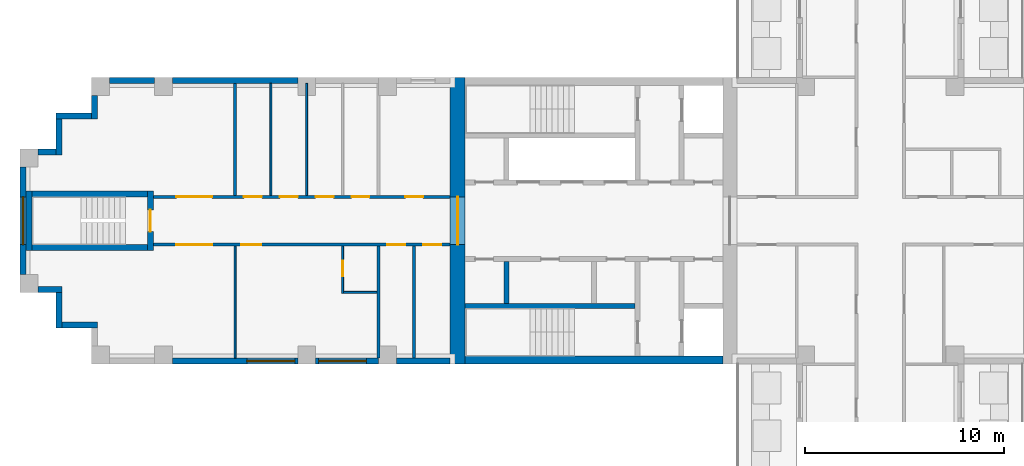
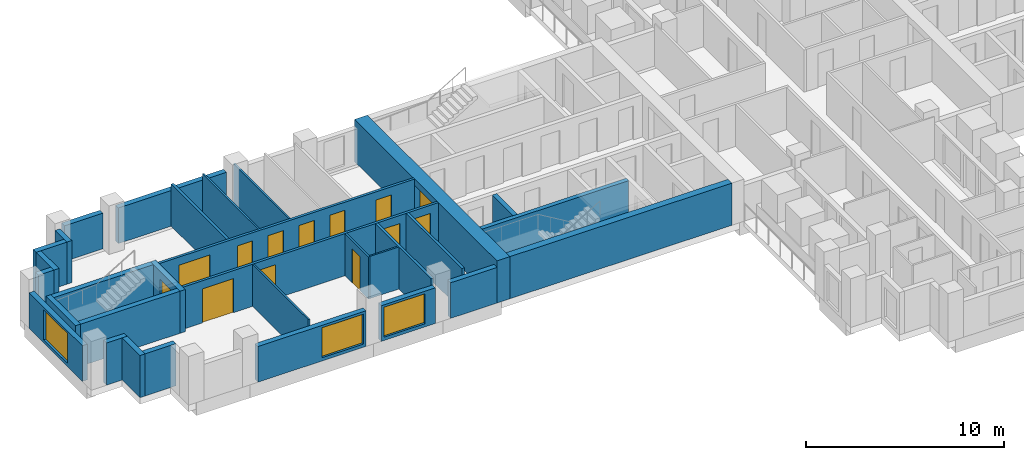
# One storey, part 2 of 10: 31 walls, 13 doors, 3 windows, 16 openings.
"""IFC4 building model written with IfcOpenShell, lengths in metres."""

from ifc_helpers import new_model, si_unit, direction, frame, frame_2d, origin, place, context, subcontext, project, spatial, rectangle, extrude, material, layer, layer_set, type_object, element, fill, save


model = new_model("IFC4")

# Units and contexts
model_context = context("Model", 3, precision=1e-05, world=origin(), true_north=direction((0.0, 1.0)))
body_context = subcontext(model_context, "Body", "Model", "MODEL_VIEW")
ifc_project = project(units=[si_unit("LENGTHUNIT", "METRE"), si_unit("AREAUNIT", "SQUARE_METRE"), si_unit("VOLUMEUNIT", "CUBIC_METRE"), si_unit("PLANEANGLEUNIT", "RADIAN"), si_unit("MASSUNIT", "GRAM", prefix="KILO")], contexts=[model_context])

# Site, building, storey
site_placement = place(None, origin())
site = spatial("IfcSite", under=ifc_project, at=site_placement, CompositionType="ELEMENT")
building_placement = place(site_placement, origin())
building = spatial("IfcBuilding", under=site, at=building_placement, Name="Fustian Cross Tower", CompositionType="ELEMENT")
storey_placement = place(building_placement, frame((0.0, 0.0, 185.699951171875)))
storey = spatial("IfcBuildingStorey", under=building, at=storey_placement, Name="L58", CompositionType="ELEMENT", Elevation=185.699951171875)

# Wall, openings, doors
ifc_material_1 = material(Name="Plasterboard on steel stud", Category="steel")
ifc_layer_1 = layer(ifc_material_1, 0.14990234375)
ifc_layer_set_1 = layer_set([ifc_layer_1], Name="Plasterboard on steel stud")
wall_type_1 = type_object("IfcWallType", Name="COMPARTMENT WALL 150 EI 60", PredefinedType="PARTITIONING", material=ifc_layer_set_1)
wall_1_placement = place(storey_placement, frame((-36.5, -1.199951171875, 0.0), z_axis=(0.0, 0.0, 1.0), x_axis=(1.0, 0.0, 0.0)))
wall_1 = element("IfcWall", 1, at=wall_1_placement, inside=storey, type_object=wall_type_1, Name="Partition 1", PredefinedType="PARTITIONING", context=body_context, shape_type="SweptSolid", body=[
    extrude(rectangle(XDim=14.89990234375, YDim=0.14990234375, at=frame_2d((7.449951171875, 0.0))), origin(), (0.0, 0.0, 1.0), 2.60009765625),
])
opening_1_placement = place(wall_1_placement, frame((13.550048828125, 0.0, 0.0)))
opening_1 = element("IfcOpeningElement", 2, at=opening_1_placement, cuts=wall_1, Name="Opening D26027", PredefinedType="OPENING", context=body_context, shape_type="SweptSolid", body=[
    extrude(rectangle(XDim=0.89990234375, YDim=2.10009765625, at=frame_2d((0.449951171875, 1.050048828125))), frame((0.0, 0.0849609375, 0.0), z_axis=(0.0, -1.0, 0.0), x_axis=(1.0, 0.0, 0.0)), (0.0, 0.0, 1.0), 0.169921875),
])
opening_2_placement = place(wall_1_placement, frame((11.75, 0.0, 0.0)))
opening_2 = element("IfcOpeningElement", 3, at=opening_2_placement, cuts=wall_1, Name="Opening D26028", PredefinedType="OPENING", context=body_context, shape_type="SweptSolid", body=[
    extrude(rectangle(XDim=0.89990234375, YDim=2.10009765625, at=frame_2d((0.449951171875, 1.050048828125))), frame((0.0, 0.0849609375, 0.0), z_axis=(0.0, -1.0, 0.0), x_axis=(1.0, 0.0, 0.0)), (0.0, 0.0, 1.0), 0.169921875),
])
opening_3_placement = place(wall_1_placement, frame((4.409912109375, 0.0, 0.0)))
opening_3 = element("IfcOpeningElement", 4, at=opening_3_placement, cuts=wall_1, Name="Opening D26030", PredefinedType="OPENING", context=body_context, shape_type="SweptSolid", body=[
    extrude(rectangle(XDim=1.0, YDim=2.10009765625, at=frame_2d((0.5, 1.050048828125))), frame((0.0, 0.0849609375, 0.0), z_axis=(0.0, -1.0, 0.0), x_axis=(1.0, 0.0, 0.0)), (0.0, 0.0, 1.0), 0.169921875),
])
opening_4_placement = place(wall_1_placement, frame((1.14990234375, 0.0, 0.0)))
opening_4 = element("IfcOpeningElement", 5, at=opening_4_placement, cuts=wall_1, Name="Opening D26031", PredefinedType="OPENING", context=body_context, shape_type="SweptSolid", body=[
    extrude(rectangle(XDim=1.800048828125, YDim=2.10009765625, at=frame_2d((0.89990234375, 1.050048828125))), frame((0.0, 0.0849609375, 0.0), z_axis=(0.0, -1.0, 0.0), x_axis=(1.0, 0.0, 0.0)), (0.0, 0.0, 1.0), 0.169921875),
])
ifc_material_2 = material(Name="Timber fire door set", Category="wood")
door_type_1 = type_object("IfcDoorType", Name="FIRE DOUBLE DOOR 1800 FD30S", OperationType="DOUBLE_DOOR_DOUBLE_SWING", PredefinedType="DOOR", material=ifc_material_2)
door_1_placement = place(opening_4_placement, origin())
door_1 = element("IfcDoor", 6, at=door_1_placement, inside=storey, type_object=door_type_1, Name="Door D26031", OperationType="DOUBLE_DOOR_DOUBLE_SWING", OverallHeight=2.10009765625, OverallWidth=1.800048828125, PredefinedType="DOOR", context=body_context, shape_type="SweptSolid", body=[
    extrude(rectangle(XDim=1.800048828125, YDim=2.10009765625, at=frame_2d((0.89990234375, 1.050048828125))), frame((0.0, 0.02490234375, 0.0), z_axis=(0.0, -1.0, 0.0), x_axis=(1.0, 0.0, 0.0)), (0.0, 0.0, 1.0), 0.050048828125),
])
fill(opening_4, door_1)
ifc_material_3 = material(Name="Timber fire door set", Category="wood")
door_type_2 = type_object("IfcDoorType", Name="FIRE SWING DOOR 1000 FD30S", OperationType="SINGLE_SWING_LEFT", PredefinedType="DOOR", material=ifc_material_3)
door_2_placement = place(opening_3_placement, frame((1.0, 0.0, 0.0), z_axis=(0.0, 0.0, 1.0), x_axis=(-1.0, 0.0, 0.0)))
door_2 = element("IfcDoor", 7, at=door_2_placement, inside=storey, type_object=door_type_2, Name="Door D26030", OperationType="SINGLE_SWING_RIGHT", OverallHeight=2.10009765625, OverallWidth=1.0, PredefinedType="DOOR", context=body_context, shape_type="SweptSolid", body=[
    extrude(rectangle(XDim=1.0, YDim=2.10009765625, at=frame_2d((0.5, 1.050048828125))), frame((0.0, 0.02490234375, 0.0), z_axis=(0.0, -1.0, 0.0), x_axis=(1.0, 0.0, 0.0)), (0.0, 0.0, 1.0), 0.050048828125),
])
fill(opening_3, door_2)
ifc_material_4 = material(Name="Timber fire door set", Category="wood")
door_type_3 = type_object("IfcDoorType", Name="FIRE SWING DOOR 900 FD30S", OperationType="SINGLE_SWING_LEFT", PredefinedType="DOOR", material=ifc_material_4)
door_3_placement = place(opening_1_placement, frame((0.89990234375, 0.0, 0.0), z_axis=(0.0, 0.0, 1.0), x_axis=(-1.0, 0.0, 0.0)))
door_3 = element("IfcDoor", 8, at=door_3_placement, inside=storey, type_object=door_type_3, Name="Door D26027", OperationType="SINGLE_SWING_LEFT", OverallHeight=2.10009765625, OverallWidth=0.89990234375, PredefinedType="DOOR", context=body_context, shape_type="SweptSolid", body=[
    extrude(rectangle(XDim=0.89990234375, YDim=2.10009765625, at=frame_2d((0.449951171875, 1.050048828125))), frame((0.0, 0.02490234375, 0.0), z_axis=(0.0, -1.0, 0.0), x_axis=(1.0, 0.0, 0.0)), (0.0, 0.0, 1.0), 0.050048828125),
])
fill(opening_1, door_3)
door_4_placement = place(opening_2_placement, origin())
door_4 = element("IfcDoor", 9, at=door_4_placement, inside=storey, type_object=door_type_3, Name="Door D26028", OperationType="SINGLE_SWING_RIGHT", OverallHeight=2.10009765625, OverallWidth=0.89990234375, PredefinedType="DOOR", context=body_context, shape_type="SweptSolid", body=[
    extrude(rectangle(XDim=0.89990234375, YDim=2.10009765625, at=frame_2d((0.449951171875, 1.050048828125))), frame((0.0, 0.02490234375, 0.0), z_axis=(0.0, -1.0, 0.0), x_axis=(1.0, 0.0, 0.0)), (0.0, 0.0, 1.0), 0.050048828125),
])
fill(opening_2, door_4)

wall_2_placement = place(storey_placement, frame((-36.5, 1.199951171875, 0.0), z_axis=(0.0, 0.0, 1.0), x_axis=(1.0, 0.0, 0.0)))
wall_2 = element("IfcWall", 10, at=wall_2_placement, inside=storey, type_object=wall_type_1, Name="Partition 2", PredefinedType="PARTITIONING", context=body_context, shape_type="SweptSolid", body=[
    extrude(rectangle(XDim=14.89990234375, YDim=0.14990234375, at=frame_2d((7.449951171875, 0.0))), origin(), (0.0, 0.0, 1.0), 2.60009765625),
])
opening_5_placement = place(wall_2_placement, frame((12.64990234375, 0.0, 0.0)))
opening_5 = element("IfcOpeningElement", 11, at=opening_5_placement, cuts=wall_2, Name="Opening D26032", PredefinedType="OPENING", context=body_context, shape_type="SweptSolid", body=[
    extrude(rectangle(XDim=0.89990234375, YDim=2.10009765625, at=frame_2d((0.449951171875, 1.050048828125))), frame((0.0, 0.0849609375, 0.0), z_axis=(0.0, -1.0, 0.0), x_axis=(1.0, 0.0, 0.0)), (0.0, 0.0, 1.0), 0.169921875),
])
opening_6_placement = place(wall_2_placement, frame((9.949951171875, 0.0, 0.0)))
opening_6 = element("IfcOpeningElement", 12, at=opening_6_placement, cuts=wall_2, Name="Opening D26033", PredefinedType="OPENING", context=body_context, shape_type="SweptSolid", body=[
    extrude(rectangle(XDim=0.89990234375, YDim=2.10009765625, at=frame_2d((0.449951171875, 1.050048828125))), frame((0.0, 0.0849609375, 0.0), z_axis=(0.0, -1.0, 0.0), x_axis=(1.0, 0.0, 0.0)), (0.0, 0.0, 1.0), 0.169921875),
])
opening_7_placement = place(wall_2_placement, frame((8.14990234375, 0.0, 0.0)))
opening_7 = element("IfcOpeningElement", 13, at=opening_7_placement, cuts=wall_2, Name="Opening D26034", PredefinedType="OPENING", context=body_context, shape_type="SweptSolid", body=[
    extrude(rectangle(XDim=0.89990234375, YDim=2.10009765625, at=frame_2d((0.449951171875, 1.050048828125))), frame((0.0, 0.0849609375, 0.0), z_axis=(0.0, -1.0, 0.0), x_axis=(1.0, 0.0, 0.0)), (0.0, 0.0, 1.0), 0.169921875),
])
opening_8_placement = place(wall_2_placement, frame((6.35009765625, 0.0, 0.0)))
opening_8 = element("IfcOpeningElement", 14, at=opening_8_placement, cuts=wall_2, Name="Opening D26035", PredefinedType="OPENING", context=body_context, shape_type="SweptSolid", body=[
    extrude(rectangle(XDim=0.89990234375, YDim=2.10009765625, at=frame_2d((0.449951171875, 1.050048828125))), frame((0.0, 0.0849609375, 0.0), z_axis=(0.0, -1.0, 0.0), x_axis=(1.0, 0.0, 0.0)), (0.0, 0.0, 1.0), 0.169921875),
])
opening_9_placement = place(wall_2_placement, frame((4.550048828125, 0.0, 0.0)))
opening_9 = element("IfcOpeningElement", 15, at=opening_9_placement, cuts=wall_2, Name="Opening D26036", PredefinedType="OPENING", context=body_context, shape_type="SweptSolid", body=[
    extrude(rectangle(XDim=0.89990234375, YDim=2.10009765625, at=frame_2d((0.449951171875, 1.050048828125))), frame((0.0, 0.0849609375, 0.0), z_axis=(0.0, -1.0, 0.0), x_axis=(1.0, 0.0, 0.0)), (0.0, 0.0, 1.0), 0.169921875),
])
opening_10_placement = place(wall_2_placement, frame((1.14990234375, 0.0, 0.0)))
opening_10 = element("IfcOpeningElement", 16, at=opening_10_placement, cuts=wall_2, Name="Opening D26037", PredefinedType="OPENING", context=body_context, shape_type="SweptSolid", body=[
    extrude(rectangle(XDim=1.800048828125, YDim=2.10009765625, at=frame_2d((0.89990234375, 1.050048828125))), frame((0.0, 0.0849609375, 0.0), z_axis=(0.0, -1.0, 0.0), x_axis=(1.0, 0.0, 0.0)), (0.0, 0.0, 1.0), 0.169921875),
])
door_5_placement = place(opening_10_placement, frame((1.800048828125, 0.0, 0.0), z_axis=(0.0, 0.0, 1.0), x_axis=(-1.0, 0.0, 0.0)))
door_5 = element("IfcDoor", 17, at=door_5_placement, inside=storey, type_object=door_type_1, Name="Door D26037", OperationType="DOUBLE_DOOR_DOUBLE_SWING", OverallHeight=2.10009765625, OverallWidth=1.800048828125, PredefinedType="DOOR", context=body_context, shape_type="SweptSolid", body=[
    extrude(rectangle(XDim=1.800048828125, YDim=2.10009765625, at=frame_2d((0.89990234375, 1.050048828125))), frame((0.0, 0.02490234375, 0.0), z_axis=(0.0, -1.0, 0.0), x_axis=(1.0, 0.0, 0.0)), (0.0, 0.0, 1.0), 0.050048828125),
])
fill(opening_10, door_5)
door_6_placement = place(opening_5_placement, origin())
door_6 = element("IfcDoor", 18, at=door_6_placement, inside=storey, type_object=door_type_3, Name="Door D26032", OperationType="SINGLE_SWING_LEFT", OverallHeight=2.10009765625, OverallWidth=0.89990234375, PredefinedType="DOOR", context=body_context, shape_type="SweptSolid", body=[
    extrude(rectangle(XDim=0.89990234375, YDim=2.10009765625, at=frame_2d((0.449951171875, 1.050048828125))), frame((0.0, 0.02490234375, 0.0), z_axis=(0.0, -1.0, 0.0), x_axis=(1.0, 0.0, 0.0)), (0.0, 0.0, 1.0), 0.050048828125),
])
fill(opening_5, door_6)
door_7_placement = place(opening_6_placement, origin())
door_7 = element("IfcDoor", 19, at=door_7_placement, inside=storey, type_object=door_type_3, Name="Door D26033", OperationType="SINGLE_SWING_RIGHT", OverallHeight=2.10009765625, OverallWidth=0.89990234375, PredefinedType="DOOR", context=body_context, shape_type="SweptSolid", body=[
    extrude(rectangle(XDim=0.89990234375, YDim=2.10009765625, at=frame_2d((0.449951171875, 1.050048828125))), frame((0.0, 0.02490234375, 0.0), z_axis=(0.0, -1.0, 0.0), x_axis=(1.0, 0.0, 0.0)), (0.0, 0.0, 1.0), 0.050048828125),
])
fill(opening_6, door_7)
door_8_placement = place(opening_7_placement, origin())
door_8 = element("IfcDoor", 20, at=door_8_placement, inside=storey, type_object=door_type_3, Name="Door D26034", OperationType="SINGLE_SWING_RIGHT", OverallHeight=2.10009765625, OverallWidth=0.89990234375, PredefinedType="DOOR", context=body_context, shape_type="SweptSolid", body=[
    extrude(rectangle(XDim=0.89990234375, YDim=2.10009765625, at=frame_2d((0.449951171875, 1.050048828125))), frame((0.0, 0.02490234375, 0.0), z_axis=(0.0, -1.0, 0.0), x_axis=(1.0, 0.0, 0.0)), (0.0, 0.0, 1.0), 0.050048828125),
])
fill(opening_7, door_8)
door_9_placement = place(opening_8_placement, origin())
door_9 = element("IfcDoor", 21, at=door_9_placement, inside=storey, type_object=door_type_3, Name="Door D26035", OperationType="SINGLE_SWING_RIGHT", OverallHeight=2.10009765625, OverallWidth=0.89990234375, PredefinedType="DOOR", context=body_context, shape_type="SweptSolid", body=[
    extrude(rectangle(XDim=0.89990234375, YDim=2.10009765625, at=frame_2d((0.449951171875, 1.050048828125))), frame((0.0, 0.02490234375, 0.0), z_axis=(0.0, -1.0, 0.0), x_axis=(1.0, 0.0, 0.0)), (0.0, 0.0, 1.0), 0.050048828125),
])
fill(opening_8, door_9)
door_10_placement = place(opening_9_placement, origin())
door_10 = element("IfcDoor", 22, at=door_10_placement, inside=storey, type_object=door_type_3, Name="Door D26036", OperationType="SINGLE_SWING_RIGHT", OverallHeight=2.10009765625, OverallWidth=0.89990234375, PredefinedType="DOOR", context=body_context, shape_type="SweptSolid", body=[
    extrude(rectangle(XDim=0.89990234375, YDim=2.10009765625, at=frame_2d((0.449951171875, 1.050048828125))), frame((0.0, 0.02490234375, 0.0), z_axis=(0.0, -1.0, 0.0), x_axis=(1.0, 0.0, 0.0)), (0.0, 0.0, 1.0), 0.050048828125),
])
fill(opening_9, door_10)

# Walls
for number, where, z_axis, x_axis, name in (
    (23, (-32.39990234375, 1.27490234375, 0.0), (0.0, 0.0, 1.0), (0.0, 1.0, 0.0), "Partition 4"),
    (24, (-25.199951171875, -6.89990234375, 0.0), (0.0, 0.0, 1.0), (0.0, 1.0, 0.0), "Partition 10"),
    (25, (-23.39990234375, -6.89990234375, 0.0), (0.0, 0.0, 1.0), (0.0, 1.0, 0.0), "Partition 12"),
):
    element("IfcWall", number, at=place(storey_placement, frame(where, z_axis=z_axis, x_axis=x_axis)), inside=storey, type_object=wall_type_1, Name=name, PredefinedType="PARTITIONING", context=body_context, shape_type="SweptSolid", body=[
        extrude(rectangle(XDim=5.625, YDim=0.14990234375, at=frame_2d((2.8125, 0.0))), origin(), (0.0, 0.0, 1.0), 2.60009765625),
    ])

# Wall, opening, door
ifc_material_5 = material(Name="Concrete C50/60", Category="concrete")
ifc_layer_2 = layer(ifc_material_5, 0.75)
ifc_layer_set_2 = layer_set([ifc_layer_2], Name="Concrete C50/60")
wall_type_2 = type_object("IfcWallType", Name="CORE END WALL 750 C50/60", PredefinedType="SHEAR", material=ifc_layer_set_2)
wall_3_placement = place(storey_placement, frame((-21.22509765625, -7.199951171875, 0.0), z_axis=(0.0, 0.0, 1.0), x_axis=(0.0, 1.0, 0.0)))
wall_3 = element("IfcWall", 26, at=wall_3_placement, inside=storey, type_object=wall_type_2, Name="Core end wall", PredefinedType="SHEAR", context=body_context, shape_type="SweptSolid", body=[
    extrude(rectangle(XDim=14.39990234375, YDim=0.75, at=frame_2d((7.199951171875, 0.0))), origin(), (0.0, 0.0, 1.0), 2.60009765625),
])
opening_11_placement = place(wall_3_placement, frame((6.0, 0.0, 0.0)))
opening_11 = element("IfcOpeningElement", 27, at=opening_11_placement, cuts=wall_3, Name="Opening CD-23-30", PredefinedType="OPENING", context=body_context, shape_type="SweptSolid", body=[
    extrude(rectangle(XDim=2.39990234375, YDim=2.199951171875, at=frame_2d((1.199951171875, 1.10009765625))), frame((0.0, 0.385009765625, 0.0), z_axis=(0.0, -1.0, 0.0), x_axis=(1.0, 0.0, 0.0)), (0.0, 0.0, 1.0), 0.77001953125),
])
ifc_material_6 = material(Name="Steel", Category="steel")
door_type_4 = type_object("IfcDoorType", Name="FIRE DOOR FD30S DOUBLE 2400X2200", OperationType="DOUBLE_DOOR_DOUBLE_SWING", PredefinedType="DOOR", material=ifc_material_6)
door_11_placement = place(opening_11_placement, frame((2.39990234375, 0.0, 0.0), z_axis=(0.0, 0.0, 1.0), x_axis=(-1.0, 0.0, 0.0)))
door_11 = element("IfcDoor", 28, at=door_11_placement, inside=storey, type_object=door_type_4, Name="Core door CD-23-30", OperationType="DOUBLE_DOOR_DOUBLE_SWING", OverallHeight=2.199951171875, OverallWidth=2.39990234375, PredefinedType="DOOR", context=body_context, shape_type="SweptSolid", body=[
    extrude(rectangle(XDim=2.39990234375, YDim=2.199951171875, at=frame_2d((1.199951171875, 1.10009765625))), frame((0.0, 0.02490234375, 0.0), z_axis=(0.0, -1.0, 0.0), x_axis=(1.0, 0.0, 0.0)), (0.0, 0.0, 1.0), 0.050048828125),
])
fill(opening_11, door_11)

# Walls
ifc_material_7 = material(Name="Concrete C50/60", Category="concrete")
ifc_layer_3 = layer(ifc_material_7, 0.39990234375)
ifc_layer_set_3 = layer_set([ifc_layer_3], Name="Concrete C50/60")
wall_type_3 = type_object("IfcWallType", Name="CORE FACADE WALL 400 C50/60", PredefinedType="SHEAR", material=ifc_layer_set_3)
wall_4_placement = place(storey_placement, frame((-7.89990234375, -7.0, 0.0), z_axis=(0.0, 0.0, 1.0), x_axis=(-1.0, 0.0, 0.0)))
element("IfcWall", 29, at=wall_4_placement, inside=storey, type_object=wall_type_3, Name="Core facade wall", PredefinedType="SHEAR", context=body_context, shape_type="SweptSolid", body=[
    extrude(rectangle(XDim=12.9501953125, YDim=0.39990234375, at=frame_2d((6.47509765625, 0.0))), origin(), (0.0, 0.0, 1.0), 2.60009765625),
])
ifc_material_8 = material(Name="Concrete C50/60", Category="concrete")
ifc_layer_4 = layer(ifc_material_8, 0.25)
ifc_layer_set_4 = layer_set([ifc_layer_4], Name="Concrete C50/60")
wall_type_4 = type_object("IfcWallType", Name="CORE SHAFT WALL 250 C50/60", PredefinedType="SHEAR", material=ifc_layer_set_4)
wall_5_placement = place(storey_placement, frame((-12.300048828125, -4.27490234375, 0.0), z_axis=(0.0, 0.0, 1.0), x_axis=(-1.0, 0.0, 0.0)))
element("IfcWall", 30, at=wall_5_placement, inside=storey, type_object=wall_type_4, Name="Core shaft wall", PredefinedType="SHEAR", context=body_context, shape_type="SweptSolid", body=[
    extrude(rectangle(XDim=8.550048828125, YDim=0.25, at=frame_2d((4.27490234375, 0.0))), origin(), (0.0, 0.0, 1.0), 2.60009765625),
])
ifc_material_9 = material(Name="Plasterboard on steel stud", Category="steel")
ifc_layer_5 = layer(ifc_material_9, 0.10009765625)
ifc_layer_set_5 = layer_set([ifc_layer_5], Name="Plasterboard on steel stud")
wall_type_5 = type_object("IfcWallType", Name="PARTITION 100 STUD", PredefinedType="PARTITIONING", material=ifc_layer_set_5)
for number, where, z_axis, x_axis, name in (
    (31, (-32.39990234375, -6.89990234375, 0.0), (0.0, 0.0, 1.0), (0.0, 1.0, 0.0), "Partition 3"),
    (32, (-30.60009765625, 1.27490234375, 0.0), (0.0, 0.0, 1.0), (0.0, 1.0, 0.0), "Partition 5"),
    (33, (-28.800048828125, 1.27490234375, 0.0), (0.0, 0.0, 1.0), (0.0, 1.0, 0.0), "Partition 6"),
):
    element("IfcWall", number, at=place(storey_placement, frame(where, z_axis=z_axis, x_axis=x_axis)), inside=storey, type_object=wall_type_5, Name=name, PredefinedType="PARTITIONING", context=body_context, shape_type="SweptSolid", body=[
        extrude(rectangle(XDim=5.625, YDim=0.10009765625, at=frame_2d((2.8125, 0.0))), origin(), (0.0, 0.0, 1.0), 2.60009765625),
    ])

# Wall, opening, door
wall_6_placement = place(storey_placement, frame((-27.0, -3.64990234375, 0.0), z_axis=(0.0, 0.0, 1.0), x_axis=(0.0, 1.0, 0.0)))
wall_6 = element("IfcWall", 34, at=wall_6_placement, inside=storey, type_object=wall_type_5, Name="Partition 7", PredefinedType="PARTITIONING", context=body_context, shape_type="SweptSolid", body=[
    extrude(rectangle(XDim=2.375, YDim=0.10009765625, at=frame_2d((1.1875, 0.0))), origin(), (0.0, 0.0, 1.0), 2.60009765625),
])
opening_12_placement = place(wall_6_placement, frame((0.85009765625, 0.0, 0.0)))
opening_12 = element("IfcOpeningElement", 35, at=opening_12_placement, cuts=wall_6, Name="Opening D26029", PredefinedType="OPENING", context=body_context, shape_type="SweptSolid", body=[
    extrude(rectangle(XDim=0.800048828125, YDim=2.10009765625, at=frame_2d((0.39990234375, 1.050048828125))), frame((0.0, 0.06005859375, 0.0), z_axis=(0.0, -1.0, 0.0), x_axis=(1.0, 0.0, 0.0)), (0.0, 0.0, 1.0), 0.1201171875),
])
ifc_material_10 = material(Name="Painted timber", Category="wood")
door_type_5 = type_object("IfcDoorType", Name="SWING DOOR 800", OperationType="SINGLE_SWING_LEFT", PredefinedType="DOOR", material=ifc_material_10)
door_12_placement = place(opening_12_placement, frame((0.800048828125, 0.0, 0.0), z_axis=(0.0, 0.0, 1.0), x_axis=(-1.0, 0.0, 0.0)))
door_12 = element("IfcDoor", 36, at=door_12_placement, inside=storey, type_object=door_type_5, Name="Door D26029", OperationType="SINGLE_SWING_RIGHT", OverallHeight=2.10009765625, OverallWidth=0.800048828125, PredefinedType="DOOR", context=body_context, shape_type="SweptSolid", body=[
    extrude(rectangle(XDim=0.800048828125, YDim=2.10009765625, at=frame_2d((0.39990234375, 1.050048828125))), frame((0.0, 0.02490234375, 0.0), z_axis=(0.0, -1.0, 0.0), x_axis=(1.0, 0.0, 0.0)), (0.0, 0.0, 1.0), 0.050048828125),
])
fill(opening_12, door_12)

# Walls
wall_7_placement = place(storey_placement, frame((-26.949951171875, -3.60009765625, 0.0), z_axis=(0.0, 0.0, 1.0), x_axis=(1.0, 0.0, 0.0)))
element("IfcWall", 37, at=wall_7_placement, inside=storey, type_object=wall_type_5, Name="Partition 8", PredefinedType="PARTITIONING", context=body_context, shape_type="SweptSolid", body=[
    extrude(rectangle(XDim=1.675048828125, YDim=0.10009765625, at=frame_2d((0.83740234375, 0.0))), origin(), (0.0, 0.0, 1.0), 2.60009765625),
])
ifc_material_11 = material(Name="Concrete C40/50", Category="concrete")
ifc_layer_6 = layer(ifc_material_11, 0.25)
ifc_layer_set_6 = layer_set([ifc_layer_6], Name="Concrete C40/50")
wall_type_6 = type_object("IfcWallType", Name="SHAFT PARTITION WALL 250 C40/50", PredefinedType="PARTITIONING", material=ifc_layer_set_6)
wall_8_placement = place(storey_placement, frame((-18.77490234375, -2.050048828125, 0.0), z_axis=(0.0, 0.0, 1.0), x_axis=(0.0, -1.0, 0.0)))
element("IfcWall", 38, at=wall_8_placement, inside=storey, type_object=wall_type_6, Name="Core shaft wall", PredefinedType="PARTITIONING", context=body_context, shape_type="SweptSolid", body=[
    extrude(rectangle(XDim=2.099853515625, YDim=0.25, at=frame_2d((1.0498046875, 0.0))), origin(), (0.0, 0.0, 1.0), 2.60009765625),
])

# Wall, opening, door
ifc_material_12 = material(Name="Concrete C50/60", Category="concrete")
ifc_layer_7 = layer(ifc_material_12, 0.300048828125)
ifc_layer_set_7 = layer_set([ifc_layer_7], Name="Concrete C50/60")
wall_type_7 = type_object("IfcWallType", Name="STAIR ENCLOSURE WALL 300 C50/60", PredefinedType="SHEAR", material=ifc_layer_set_7)
wall_9_placement = place(storey_placement, frame((-36.64990234375, -1.5, 0.0), z_axis=(0.0, 0.0, 1.0), x_axis=(0.0, 1.0, 0.0)))
wall_9 = element("IfcWall", 39, at=wall_9_placement, inside=storey, type_object=wall_type_7, Name="Stair enclosure wall", PredefinedType="SHEAR", context=body_context, shape_type="SweptSolid", body=[
    extrude(rectangle(XDim=3.0, YDim=0.300048828125, at=frame_2d((1.5, 0.0))), origin(), (0.0, 0.0, 1.0), 2.60009765625),
])
opening_13_placement = place(wall_9_placement, frame((0.949951171875, 0.0, 0.0)))
opening_13 = element("IfcOpeningElement", 40, at=opening_13_placement, cuts=wall_9, Name="Opening CD-23-35", PredefinedType="OPENING", context=body_context, shape_type="SweptSolid", body=[
    extrude(rectangle(XDim=1.10009765625, YDim=2.10009765625, at=frame_2d((0.550048828125, 1.050048828125))), frame((0.0, 0.159912109375, 0.0), z_axis=(0.0, -1.0, 0.0), x_axis=(1.0, 0.0, 0.0)), (0.0, 0.0, 1.0), 0.320068359375),
])
ifc_material_13 = material(Name="Steel", Category="steel")
door_type_6 = type_object("IfcDoorType", Name="FIRE DOOR FD60S 1100X2100", OperationType="SINGLE_SWING_LEFT", PredefinedType="DOOR", material=ifc_material_13)
door_13_placement = place(opening_13_placement, origin())
door_13 = element("IfcDoor", 41, at=door_13_placement, inside=storey, type_object=door_type_6, Name="Core door CD-23-35", OperationType="SINGLE_SWING_LEFT", OverallHeight=2.10009765625, OverallWidth=1.10009765625, PredefinedType="DOOR", context=body_context, shape_type="SweptSolid", body=[
    extrude(rectangle(XDim=1.10009765625, YDim=2.10009765625, at=frame_2d((0.550048828125, 1.050048828125))), frame((0.0, 0.02490234375, 0.0), z_axis=(0.0, -1.0, 0.0), x_axis=(1.0, 0.0, 0.0)), (0.0, 0.0, 1.0), 0.050048828125),
])
fill(opening_13, door_13)

# Walls
wall_10_placement = place(storey_placement, frame((-42.75, -1.5, 0.0), z_axis=(0.0, 0.0, 1.0), x_axis=(0.0, 1.0, 0.0)))
element("IfcWall", 42, at=wall_10_placement, inside=storey, type_object=wall_type_7, Name="Stair enclosure wall", PredefinedType="SHEAR", context=body_context, shape_type="SweptSolid", body=[
    extrude(rectangle(XDim=3.0, YDim=0.300048828125, at=frame_2d((1.5, 0.0))), origin(), (0.0, 0.0, 1.0), 2.60009765625),
])
for number, where, z_axis, x_axis, name in (
    (43, (-36.800048828125, -1.35009765625, 0.0), (0.0, 0.0, 1.0), (-1.0, 0.0, 0.0), "Stair enclosure wall"),
    (44, (-36.800048828125, 1.35009765625, 0.0), (0.0, 0.0, 1.0), (-1.0, 0.0, 0.0), "Stair enclosure wall"),
):
    element("IfcWall", number, at=place(storey_placement, frame(where, z_axis=z_axis, x_axis=x_axis)), inside=storey, type_object=wall_type_7, Name=name, PredefinedType="SHEAR", context=body_context, shape_type="SweptSolid", body=[
        extrude(rectangle(XDim=5.800048828125, YDim=0.300048828125, at=frame_2d((2.89990234375, 0.0))), origin(), (0.0, 0.0, 1.0), 2.60009765625),
    ])
ifc_material_14 = material(Name="Dark aluminium cladding on insulated backing wall", Category="aluminium")
ifc_layer_8 = layer(ifc_material_14, 0.300048828125)
ifc_layer_set_8 = layer_set([ifc_layer_8], Name="Dark aluminium cladding on insulated backing wall")
wall_type_8 = type_object("IfcWallType", Name="XW1 EXTERNAL WALL 300", PredefinedType="SOLIDWALL", material=ifc_layer_set_8)
wall_11_placement = place(storey_placement, frame((-29.25, 7.050048828125, 0.0), z_axis=(0.0, 0.0, 1.0), x_axis=(-1.0, 0.0, 0.0)))
element("IfcWall", 45, at=wall_11_placement, inside=storey, type_object=wall_type_8, Name="External wall", PredefinedType="SOLIDWALL", context=body_context, shape_type="SweptSolid", body=[
    extrude(rectangle(XDim=6.300048828125, YDim=0.300048828125, at=frame_2d((3.14990234375, 0.0))), origin(), (0.0, 0.0, 1.0), 2.199951171875),
])
wall_12_placement = place(storey_placement, frame((-36.449951171875, 7.050048828125, 0.0), z_axis=(0.0, 0.0, 1.0), x_axis=(-1.0, 0.0, 0.0)))
element("IfcWall", 46, at=wall_12_placement, inside=storey, type_object=wall_type_8, Name="External wall", PredefinedType="SOLIDWALL", context=body_context, shape_type="SweptSolid", body=[
    extrude(rectangle(XDim=2.25, YDim=0.300048828125, at=frame_2d((1.125, 0.0))), origin(), (0.0, 0.0, 1.0), 2.199951171875),
])
wall_13_placement = place(storey_placement, frame((-39.449951171875, 6.300048828125, 0.0), z_axis=(0.0, 0.0, 1.0), x_axis=(0.0, -1.0, 0.0)))
element("IfcWall", 47, at=wall_13_placement, inside=storey, type_object=wall_type_8, Name="External wall", PredefinedType="SOLIDWALL", context=body_context, shape_type="SweptSolid", body=[
    extrude(rectangle(XDim=1.199951171875, YDim=0.300048828125, at=frame_2d((0.60009765625, 0.0))), origin(), (0.0, 0.0, 1.0), 2.60009765625),
])
wall_14_placement = place(storey_placement, frame((-39.60009765625, 5.25, 0.0), z_axis=(0.0, 0.0, 1.0), x_axis=(-1.0, 0.0, 0.0)))
element("IfcWall", 48, at=wall_14_placement, inside=storey, type_object=wall_type_8, Name="External wall", PredefinedType="SOLIDWALL", context=body_context, shape_type="SweptSolid", body=[
    extrude(rectangle(XDim=1.7998046875, YDim=0.300048828125, at=frame_2d((0.89990234375, 0.0))), origin(), (0.0, 0.0, 1.0), 2.60009765625),
])
wall_15_placement = place(storey_placement, frame((-41.25, 5.10009765625, 0.0), z_axis=(0.0, 0.0, 1.0), x_axis=(0.0, -1.0, 0.0)))
element("IfcWall", 49, at=wall_15_placement, inside=storey, type_object=wall_type_8, Name="External wall", PredefinedType="SOLIDWALL", context=body_context, shape_type="SweptSolid", body=[
    extrude(rectangle(XDim=1.800048828125, YDim=0.300048828125, at=frame_2d((0.89990234375, 0.0))), origin(), (0.0, 0.0, 1.0), 2.60009765625),
])
wall_16_placement = place(storey_placement, frame((-41.39990234375, 3.449951171875, 0.0), z_axis=(0.0, 0.0, 1.0), x_axis=(-1.0, 0.0, 0.0)))
element("IfcWall", 50, at=wall_16_placement, inside=storey, type_object=wall_type_8, Name="External wall", PredefinedType="SOLIDWALL", context=body_context, shape_type="SweptSolid", body=[
    extrude(rectangle(XDim=0.900146484375, YDim=0.300048828125, at=frame_2d((0.4501953125, 0.0))), origin(), (0.0, 0.0, 1.0), 2.60009765625),
])

# Wall, opening, window
wall_17_placement = place(storey_placement, frame((-43.050048828125, 2.699951171875, 0.0), z_axis=(0.0, 0.0, 1.0), x_axis=(0.0, -1.0, 0.0)))
wall_17 = element("IfcWall", 51, at=wall_17_placement, inside=storey, type_object=wall_type_8, Name="External wall", PredefinedType="SOLIDWALL", context=body_context, shape_type="SweptSolid", body=[
    extrude(rectangle(XDim=5.39990234375, YDim=0.300048828125, at=frame_2d((2.699951171875, 0.0))), origin(), (0.0, 0.0, 1.0), 2.199951171875),
])
opening_14_placement = place(wall_17_placement, frame((1.5, 0.0, 0.199951171875)))
opening_14 = element("IfcOpeningElement", 52, at=opening_14_placement, cuts=wall_17, Name="Opening WN1", PredefinedType="OPENING", context=body_context, shape_type="SweptSolid", body=[
    extrude(rectangle(XDim=2.39990234375, YDim=1.85009765625, at=frame_2d((1.199951171875, 0.925048828125))), frame((0.0, 0.159912109375, 0.0), z_axis=(0.0, -1.0, 0.0), x_axis=(1.0, 0.0, 0.0)), (0.0, 0.0, 1.0), 0.320068359375),
])
ifc_material_15 = material(Name="Dark anodised aluminium and double glazing", Category="aluminium")
window_type = type_object("IfcWindowType", Name="WN1 WINDOW 2400X1850", PartitioningType="SINGLE_PANEL", PredefinedType="WINDOW", material=ifc_material_15)
window_1_placement = place(opening_14_placement, origin())
window_1 = element("IfcWindow", 53, at=window_1_placement, inside=storey, type_object=window_type, Name="Window", OverallHeight=1.85009765625, OverallWidth=2.39990234375, PartitioningType="SINGLE_PANEL", PredefinedType="WINDOW", context=body_context, shape_type="SweptSolid", body=[
    extrude(rectangle(XDim=2.39990234375, YDim=1.85009765625, at=frame_2d((1.199951171875, 0.925048828125))), frame((0.0, 0.030029296875, 0.0), z_axis=(0.0, -1.0, 0.0), x_axis=(1.0, 0.0, 0.0)), (0.0, 0.0, 1.0), 0.06005859375),
])
fill(opening_14, window_1)

# Walls
wall_18_placement = place(storey_placement, frame((-42.300048828125, -3.449951171875, 0.0), z_axis=(0.0, 0.0, 1.0), x_axis=(1.0, 0.0, 0.0)))
element("IfcWall", 54, at=wall_18_placement, inside=storey, type_object=wall_type_8, Name="External wall", PredefinedType="SOLIDWALL", context=body_context, shape_type="SweptSolid", body=[
    extrude(rectangle(XDim=1.199951171875, YDim=0.300048828125, at=frame_2d((0.60009765625, 0.0))), origin(), (0.0, 0.0, 1.0), 2.60009765625),
])
wall_19_placement = place(storey_placement, frame((-41.25, -3.60009765625, 0.0), z_axis=(0.0, 0.0, 1.0), x_axis=(0.0, -1.0, 0.0)))
element("IfcWall", 55, at=wall_19_placement, inside=storey, type_object=wall_type_8, Name="External wall", PredefinedType="SOLIDWALL", context=body_context, shape_type="SweptSolid", body=[
    extrude(rectangle(XDim=1.7998046875, YDim=0.300048828125, at=frame_2d((0.89990234375, 0.0))), origin(), (0.0, 0.0, 1.0), 2.60009765625),
])
wall_20_placement = place(storey_placement, frame((-41.10009765625, -5.25, 0.0), z_axis=(0.0, 0.0, 1.0), x_axis=(1.0, 0.0, 0.0)))
element("IfcWall", 56, at=wall_20_placement, inside=storey, type_object=wall_type_8, Name="External wall", PredefinedType="SOLIDWALL", context=body_context, shape_type="SweptSolid", body=[
    extrude(rectangle(XDim=1.800048828125, YDim=0.300048828125, at=frame_2d((0.89990234375, 0.0))), origin(), (0.0, 0.0, 1.0), 2.60009765625),
])

# Wall, opening, window
wall_21_placement = place(storey_placement, frame((-35.550048828125, -7.050048828125, 0.0), z_axis=(0.0, 0.0, 1.0), x_axis=(1.0, 0.0, 0.0)))
wall_21 = element("IfcWall", 57, at=wall_21_placement, inside=storey, type_object=wall_type_8, Name="External wall", PredefinedType="SOLIDWALL", context=body_context, shape_type="SweptSolid", body=[
    extrude(rectangle(XDim=6.300048828125, YDim=0.300048828125, at=frame_2d((3.14990234375, 0.0))), origin(), (0.0, 0.0, 1.0), 2.199951171875),
])
opening_15_placement = place(wall_21_placement, frame((3.75, 0.0, 0.199951171875)))
opening_15 = element("IfcOpeningElement", 58, at=opening_15_placement, cuts=wall_21, Name="Opening WN1", PredefinedType="OPENING", context=body_context, shape_type="SweptSolid", body=[
    extrude(rectangle(XDim=2.39990234375, YDim=1.85009765625, at=frame_2d((1.199951171875, 0.925048828125))), frame((0.0, 0.159912109375, 0.0), z_axis=(0.0, -1.0, 0.0), x_axis=(1.0, 0.0, 0.0)), (0.0, 0.0, 1.0), 0.320068359375),
])
window_2_placement = place(opening_15_placement, origin())
window_2 = element("IfcWindow", 59, at=window_2_placement, inside=storey, type_object=window_type, Name="Window", OverallHeight=1.85009765625, OverallWidth=2.39990234375, PartitioningType="SINGLE_PANEL", PredefinedType="WINDOW", context=body_context, shape_type="SweptSolid", body=[
    extrude(rectangle(XDim=2.39990234375, YDim=1.85009765625, at=frame_2d((1.199951171875, 0.925048828125))), frame((0.0, 0.030029296875, 0.0), z_axis=(0.0, -1.0, 0.0), x_axis=(1.0, 0.0, 0.0)), (0.0, 0.0, 1.0), 0.06005859375),
])
fill(opening_15, window_2)

wall_22_placement = place(storey_placement, frame((-28.35009765625, -7.050048828125, 0.0), z_axis=(0.0, 0.0, 1.0), x_axis=(1.0, 0.0, 0.0)))
wall_22 = element("IfcWall", 60, at=wall_22_placement, inside=storey, type_object=wall_type_8, Name="External wall", PredefinedType="SOLIDWALL", context=body_context, shape_type="SweptSolid", body=[
    extrude(rectangle(XDim=3.150146484375, YDim=0.300048828125, at=frame_2d((1.5751953125, 0.0))), origin(), (0.0, 0.0, 1.0), 2.199951171875),
])
opening_16_placement = place(wall_22_placement, frame((0.14990234375, 0.0, 0.199951171875)))
opening_16 = element("IfcOpeningElement", 61, at=opening_16_placement, cuts=wall_22, Name="Opening WN1", PredefinedType="OPENING", context=body_context, shape_type="SweptSolid", body=[
    extrude(rectangle(XDim=2.39990234375, YDim=1.85009765625, at=frame_2d((1.199951171875, 0.925048828125))), frame((0.0, 0.159912109375, 0.0), z_axis=(0.0, -1.0, 0.0), x_axis=(1.0, 0.0, 0.0)), (0.0, 0.0, 1.0), 0.320068359375),
])
window_3_placement = place(opening_16_placement, origin())
window_3 = element("IfcWindow", 62, at=window_3_placement, inside=storey, type_object=window_type, Name="Window", OverallHeight=1.85009765625, OverallWidth=2.39990234375, PartitioningType="SINGLE_PANEL", PredefinedType="WINDOW", context=body_context, shape_type="SweptSolid", body=[
    extrude(rectangle(XDim=2.39990234375, YDim=1.85009765625, at=frame_2d((1.199951171875, 0.925048828125))), frame((0.0, 0.030029296875, 0.0), z_axis=(0.0, -1.0, 0.0), x_axis=(1.0, 0.0, 0.0)), (0.0, 0.0, 1.0), 0.06005859375),
])
fill(opening_16, window_3)

# Wall
wall_23_placement = place(storey_placement, frame((-24.300048828125, -7.050048828125, 0.0), z_axis=(0.0, 0.0, 1.0), x_axis=(1.0, 0.0, 0.0)))
element("IfcWall", 63, at=wall_23_placement, inside=storey, type_object=wall_type_8, Name="External wall", PredefinedType="SOLIDWALL", context=body_context, shape_type="SweptSolid", body=[
    extrude(rectangle(XDim=2.699951171875, YDim=0.300048828125, at=frame_2d((1.35009765625, 0.0))), origin(), (0.0, 0.0, 1.0), 2.199951171875),
])

save(model, "model.ifc")
